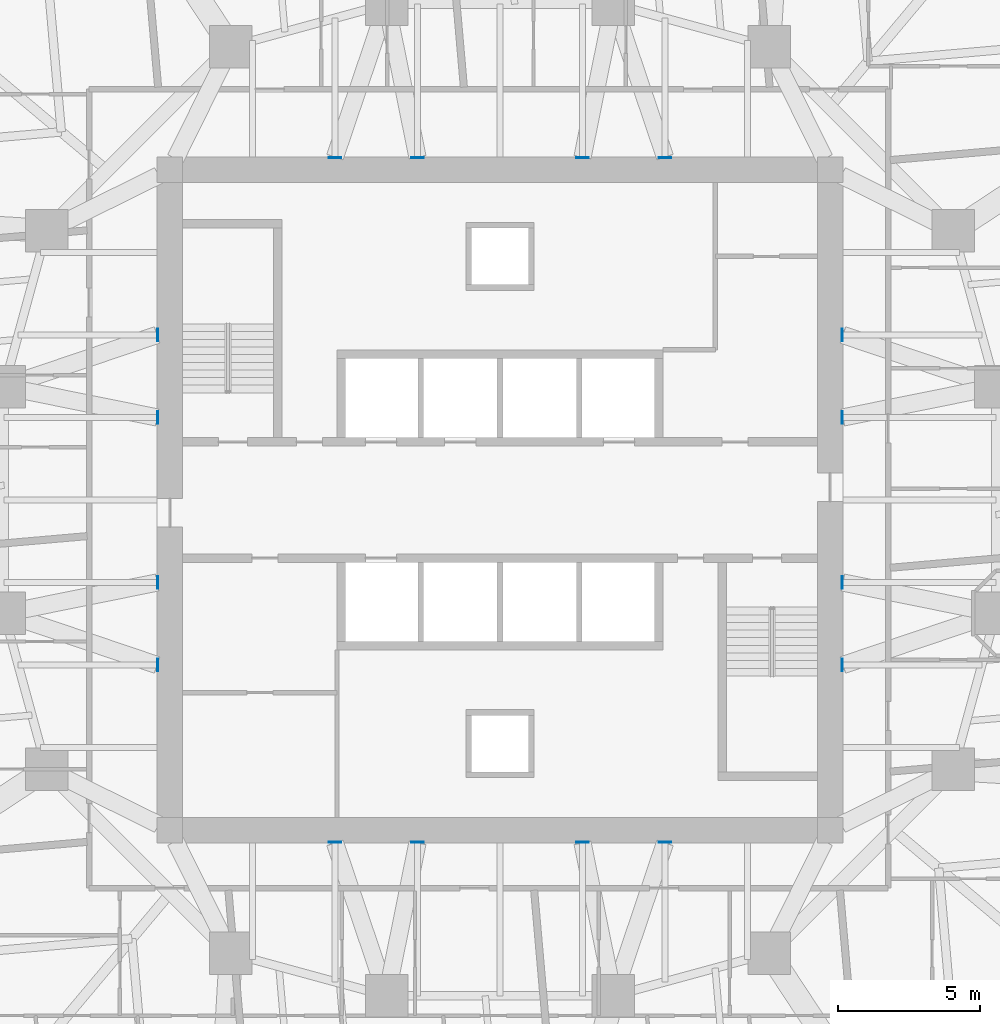
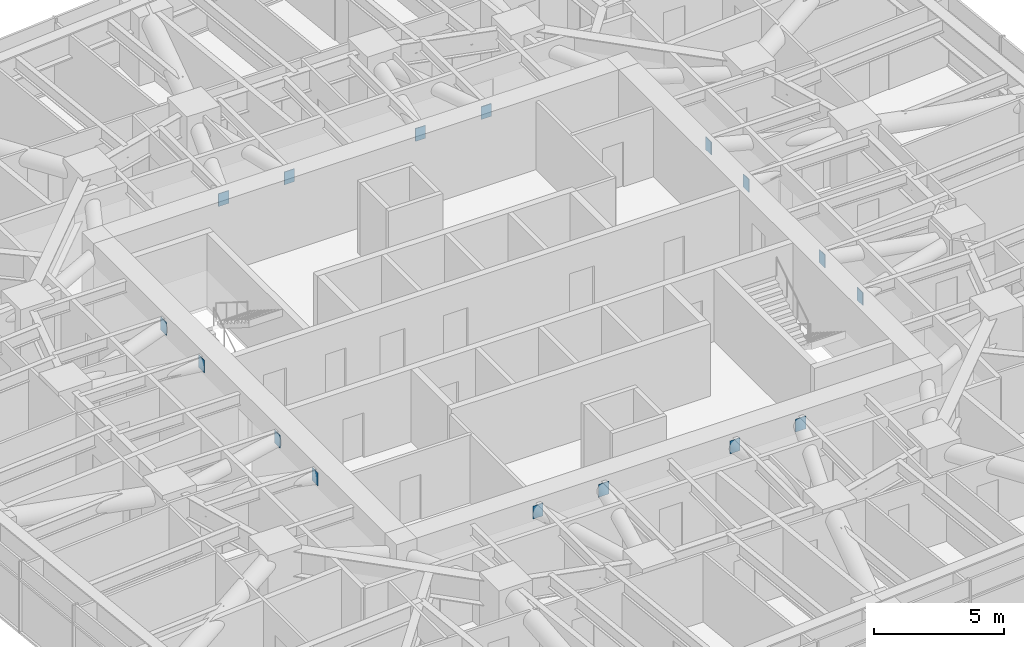
# One storey, part 17 of 18: 16 discrete accessories.
"""IFC4 building model written with IfcOpenShell, lengths in metres."""

from ifc_helpers import new_model, si_unit, direction, frame, origin, origin_2d, place, context, subcontext, project, spatial, rectangle, extrude, material, layer, layer_set, type_object, element, save


model = new_model("IFC4")

# Units and contexts
model_context = context("Model", 3, precision=1e-05, world=origin(), true_north=direction((0.0, 1.0)))
body_context = subcontext(model_context, "Body", "Model", "MODEL_VIEW")
ifc_project = project(units=[si_unit("LENGTHUNIT", "METRE"), si_unit("AREAUNIT", "SQUARE_METRE"), si_unit("VOLUMEUNIT", "CUBIC_METRE"), si_unit("PLANEANGLEUNIT", "RADIAN"), si_unit("MASSUNIT", "GRAM", prefix="KILO")], contexts=[model_context])

# Site, building, storey
site_placement = place(None, origin())
site = spatial("IfcSite", under=ifc_project, at=site_placement, CompositionType="ELEMENT")
building_placement = place(site_placement, origin())
building = spatial("IfcBuilding", under=site, at=building_placement, Name="Torsade Residences", CompositionType="ELEMENT")
storey_placement = place(building_placement, frame((0.0, 0.0, 71.0)))
storey = spatial("IfcBuildingStorey", under=building, at=storey_placement, Name="L19", CompositionType="ELEMENT", Elevation=71.0)

# Discrete accessories
ifc_material = material(Name="Steel grade 350", Category="steel")
ifc_layer = layer(ifc_material, 0.031982421875)
ifc_layer_set = layer_set([ifc_layer], Name="Steel grade 350")
discrete_accessory_type = type_object("IfcDiscreteAccessoryType", Name="CAST-IN PLATE 450x600x32", PredefinedType="ANCHORPLATE", material=ifc_layer_set)
for number, where, z_axis, x_axis, name in (
    (1, (52.083984375, 27.08740234375, 2.48583984375), (0.0, 0.0, 1.0), (1.0, 0.0, 0.0), "Cast-in plate PB1 PB-L20-IR01IE03"),
    (2, (52.083984375, 24.175048828125, 2.48583984375), (0.0, 0.0, 1.0), (1.0, 0.0, 0.0), "Cast-in plate PB1 PB-L20-IR01IE02"),
    (3, (52.083984375, 32.91259765625, 2.48583984375), (0.0, 0.0, 1.0), (1.0, 0.0, 0.0), "Cast-in plate PB1 PB-L20-IR02IE05"),
    (4, (52.083984375, 35.824951171875, 2.48583984375), (0.0, 0.0, 1.0), (1.0, 0.0, 0.0), "Cast-in plate PB1 PB-L20-IR02IE06"),
):
    element("IfcDiscreteAccessory", number, at=place(storey_placement, frame(where, z_axis=z_axis, x_axis=x_axis)), inside=storey, type_object=discrete_accessory_type, Name=name, PredefinedType="ANCHORPLATE", context=body_context, shape_type="SweptSolid", body=[
        extrude(rectangle(XDim=0.031982421875, YDim=0.449951171875, at=origin_2d()), origin(), (0.0, 0.0, 1.0), 0.60009765625),
    ])
for number, where, z_axis, x_axis, name in (
    (5, (42.91259765625, 42.083984375, 2.48583984375), (0.0, 0.0, 1.0), (1.0, 0.0, 0.0), "Cast-in plate PB1 PB-L20-IR05IN05"),
    (6, (45.824951171875, 42.083984375, 2.48583984375), (0.0, 0.0, 1.0), (1.0, 0.0, 0.0), "Cast-in plate PB1 PB-L20-IR05IN06"),
    (7, (37.08740234375, 42.083984375, 2.48583984375), (0.0, 0.0, 1.0), (1.0, 0.0, 0.0), "Cast-in plate PB1 PB-L20-IR06IN03"),
    (8, (34.175048828125, 42.083984375, 2.48583984375), (0.0, 0.0, 1.0), (1.0, 0.0, 0.0), "Cast-in plate PB1 PB-L20-IR06IN02"),
):
    element("IfcDiscreteAccessory", number, at=place(storey_placement, frame(where, z_axis=z_axis, x_axis=x_axis)), inside=storey, type_object=discrete_accessory_type, Name=name, PredefinedType="ANCHORPLATE", context=body_context, shape_type="SweptSolid", body=[
        extrude(rectangle(XDim=0.449951171875, YDim=0.031982421875, at=origin_2d()), origin(), (0.0, 0.0, 1.0), 0.60009765625),
    ])
for number, where, z_axis, x_axis, name in (
    (9, (27.916015625, 32.91259765625, 2.48583984375), (0.0, 0.0, 1.0), (1.0, 0.0, 0.0), "Cast-in plate PB1 PB-L20-IR09IW03"),
    (10, (27.916015625, 35.824951171875, 2.48583984375), (0.0, 0.0, 1.0), (1.0, 0.0, 0.0), "Cast-in plate PB1 PB-L20-IR09IW02"),
    (11, (27.916015625, 27.08740234375, 2.48583984375), (0.0, 0.0, 1.0), (1.0, 0.0, 0.0), "Cast-in plate PB1 PB-L20-IR10IW05"),
    (12, (27.916015625, 24.175048828125, 2.48583984375), (0.0, 0.0, 1.0), (1.0, 0.0, 0.0), "Cast-in plate PB1 PB-L20-IR10IW06"),
):
    element("IfcDiscreteAccessory", number, at=place(storey_placement, frame(where, z_axis=z_axis, x_axis=x_axis)), inside=storey, type_object=discrete_accessory_type, Name=name, PredefinedType="ANCHORPLATE", context=body_context, shape_type="SweptSolid", body=[
        extrude(rectangle(XDim=0.031982421875, YDim=0.449951171875, at=origin_2d()), origin(), (0.0, 0.0, 1.0), 0.60009765625),
    ])
for number, where, z_axis, x_axis, name in (
    (13, (37.08740234375, 17.916015625, 2.48583984375), (0.0, 0.0, 1.0), (1.0, 0.0, 0.0), "Cast-in plate PB1 PB-L20-IR13IS05"),
    (14, (34.175048828125, 17.916015625, 2.48583984375), (0.0, 0.0, 1.0), (1.0, 0.0, 0.0), "Cast-in plate PB1 PB-L20-IR13IS06"),
    (15, (42.91259765625, 17.916015625, 2.48583984375), (0.0, 0.0, 1.0), (1.0, 0.0, 0.0), "Cast-in plate PB1 PB-L20-IR14IS03"),
    (16, (45.824951171875, 17.916015625, 2.48583984375), (0.0, 0.0, 1.0), (1.0, 0.0, 0.0), "Cast-in plate PB1 PB-L20-IR14IS02"),
):
    element("IfcDiscreteAccessory", number, at=place(storey_placement, frame(where, z_axis=z_axis, x_axis=x_axis)), inside=storey, type_object=discrete_accessory_type, Name=name, PredefinedType="ANCHORPLATE", context=body_context, shape_type="SweptSolid", body=[
        extrude(rectangle(XDim=0.449951171875, YDim=0.031982421875, at=origin_2d()), origin(), (0.0, 0.0, 1.0), 0.60009765625),
    ])

save(model, "model.ifc")
